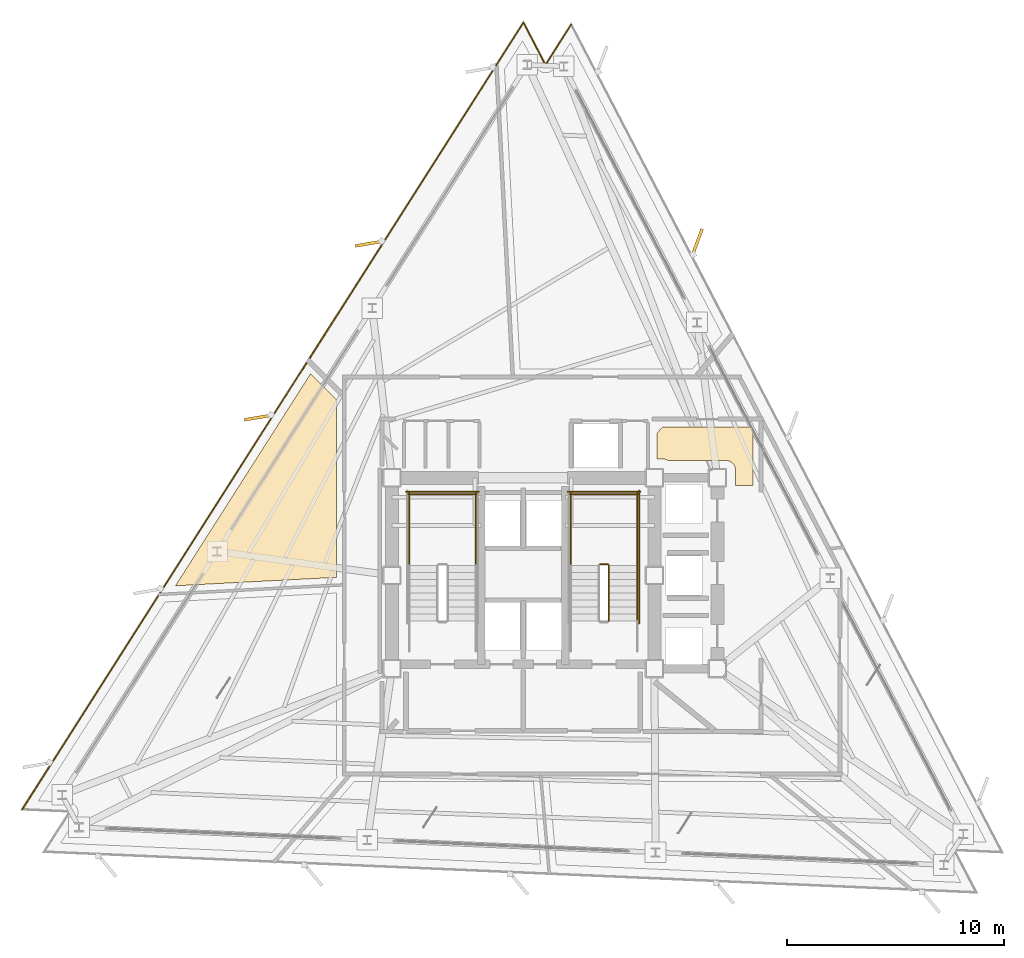
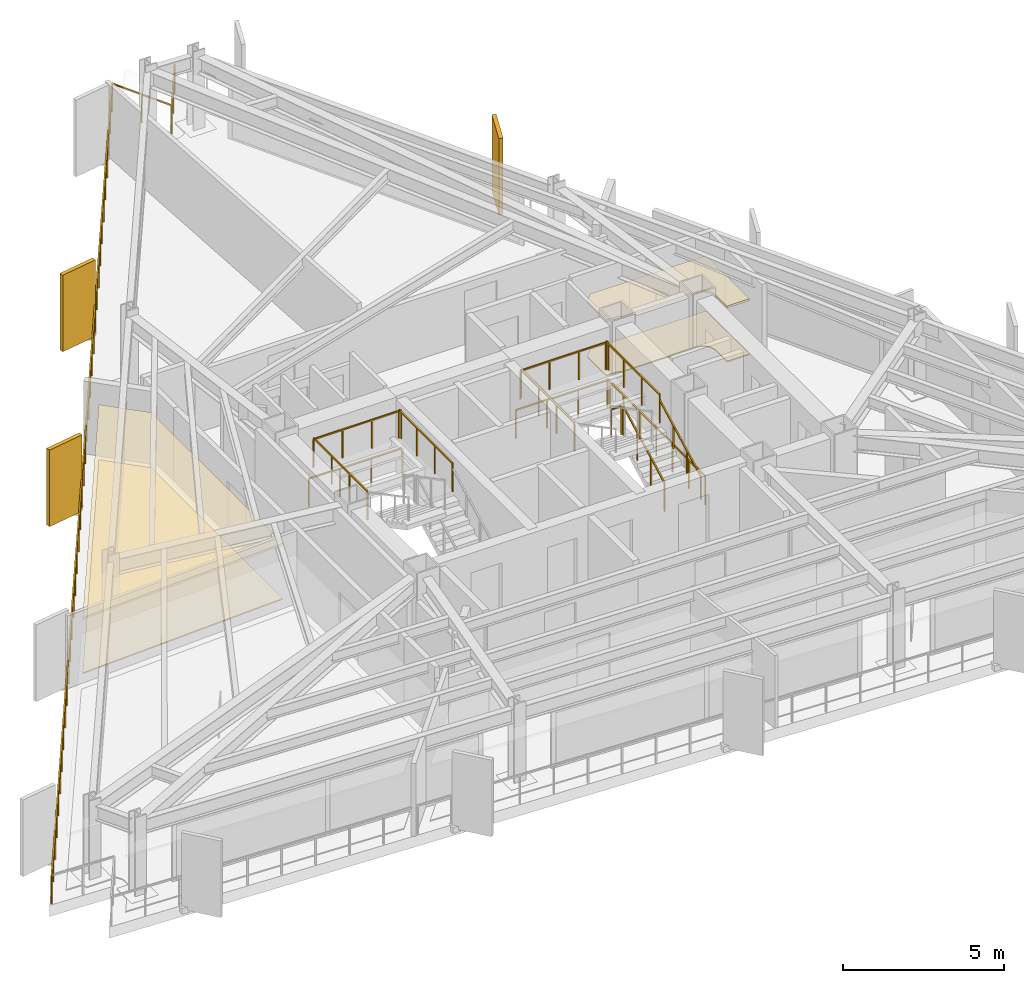
# One storey, part 11 of 12: 13 railings, 4 coverings, 3 shading devices.
"""IFC4 building model written with IfcOpenShell, lengths in metres."""

from ifc_helpers import new_model, si_unit, direction, frame, origin, origin_2d, place, context, subcontext, project, spatial, polyline, rectangle, outline, extrude, material, layer, layer_set, type_object, element, save


model = new_model("IFC4")

# Units and contexts
model_context = context("Model", 3, precision=1e-05, world=origin(), true_north=direction((0.0, 1.0)))
body_context = subcontext(model_context, "Body", "Model", "MODEL_VIEW")
ifc_project = project(units=[si_unit("LENGTHUNIT", "METRE"), si_unit("AREAUNIT", "SQUARE_METRE"), si_unit("VOLUMEUNIT", "CUBIC_METRE"), si_unit("PLANEANGLEUNIT", "RADIAN"), si_unit("MASSUNIT", "GRAM", prefix="KILO")], contexts=[model_context])

# Site, building, storey
site_placement = place(None, origin())
site = spatial("IfcSite", under=ifc_project, at=site_placement, CompositionType="ELEMENT")
building_placement = place(site_placement, origin())
building = spatial("IfcBuilding", under=site, at=building_placement, Name="Rocaltana Carrier Exchange", CompositionType="ELEMENT")
storey_placement = place(building_placement, frame((0.0, 0.0, 125.919921875)))
storey = spatial("IfcBuildingStorey", under=building, at=storey_placement, Name="L39", CompositionType="ELEMENT", Elevation=125.919921875)

# Coverings
ifc_material_1 = material(Name="Honed Bogota Sandstone Tile", Category="masonry")
ifc_layer_1 = layer(ifc_material_1, 0.0400390625)
ifc_layer_set_1 = layer_set([ifc_layer_1], Name="Honed Bogota Sandstone Tile")
covering_type_1 = type_object("IfcCoveringType", Name="Honed Stone Lobby Flooring 40", PredefinedType="FLOORING", material=ifc_layer_set_1)
covering_1_placement = place(storey_placement, origin())
element("IfcCovering", 1, at=covering_1_placement, inside=storey, type_object=covering_type_1, Name="L39 Peering Conference Room Finish Floor", PredefinedType="FLOORING", context=body_context, shape_type="SweptSolid", body=[
    extrude(outline(polyline([(6.6875, 5.2900390625), (6.682861328125, 5.293212890625), (6.66943359375, 5.30126953125), (6.64501953125, 5.314208984375), (6.630859375, 5.32080078125), (6.605712890625, 5.33154296875), (6.5908203125, 5.336669921875), (6.564453125, 5.3447265625), (6.54931640625, 5.348388671875), (6.522216796875, 5.35400390625), (6.5068359375, 5.356201171875), (6.4794921875, 5.35888671875), (6.463623046875, 5.359619140625), (6.449951171875, 5.360107421875), (6.159912109375, 5.360107421875), (6.159912109375, 6.53759765625), (6.4228515625, 6.840087890625), (10.60009765625, 6.840087890625), (10.60009765625, 4.139892578125), (9.7900390625, 4.139892578125), (9.7900390625, 4.85009765625), (9.789794921875, 4.86376953125), (9.788818359375, 4.87939453125), (9.7861328125, 4.90673828125), (9.783935546875, 4.92236328125), (9.778564453125, 4.94921875), (9.774658203125, 4.964599609375), (9.7666015625, 4.99072265625), (9.761474609375, 5.005615234375), (9.7509765625, 5.031005859375), (9.744140625, 5.045166015625), (9.731201171875, 5.0693359375), (9.72314453125, 5.082763671875), (9.7080078125, 5.105712890625), (9.698486328125, 5.118408203125), (9.68115234375, 5.139404296875), (9.670654296875, 5.151123046875), (9.651123046875, 5.170654296875), (9.639404296875, 5.18115234375), (9.618408203125, 5.198486328125), (9.605712890625, 5.2080078125), (9.582763671875, 5.22314453125), (9.5693359375, 5.231201171875), (9.545166015625, 5.244140625), (9.531005859375, 5.2509765625), (9.505615234375, 5.261474609375), (9.49072265625, 5.2666015625), (9.464599609375, 5.274658203125), (9.44921875, 5.278564453125), (9.42236328125, 5.283935546875), (9.40673828125, 5.2861328125), (9.37939453125, 5.288818359375), (9.36376953125, 5.289794921875), (9.35009765625, 5.2900390625), (6.6875, 5.2900390625)])), origin(), (0.0, 0.0, 1.0), 0.0400390625),
])
covering_2_placement = place(storey_placement, origin())
element("IfcCovering", 2, at=covering_2_placement, inside=storey, type_object=covering_type_1, Name="L39 Carrier Peering Suite Finish Floor", PredefinedType="FLOORING", context=body_context, shape_type="SweptSolid", body=[
    extrude(outline(polyline([(-9.802734375, 9.293701171875), (-8.610107421875, 8.100830078125), (-8.610107421875, -0.0908203125), (-16.02880859375, -0.4794921875), (-9.802734375, 9.293701171875)])), origin(), (0.0, 0.0, 1.0), 0.0400390625),
])
ifc_material_2 = material(Name="Anodised Aluminium 6063-T6", Category="aluminium")
ifc_layer_2 = layer(ifc_material_2, 0.0849609375)
ifc_layer_set_2 = layer_set([ifc_layer_2], Name="Anodised Aluminium 6063-T6")
covering_type_2 = type_object("IfcCoveringType", Name="Linear Baffle Acoustic Ceiling 85", PredefinedType="CEILING", material=ifc_layer_set_2)
covering_3_placement = place(storey_placement, frame((0.0, 0.0, 2.052978515625)))
element("IfcCovering", 3, at=covering_3_placement, inside=storey, type_object=covering_type_2, Name="L39 Peering Conference Room Acoustic Ceiling", PredefinedType="CEILING", context=body_context, shape_type="SweptSolid", body=[
    extrude(outline(polyline([(6.6875, 5.2900390625), (6.682861328125, 5.293212890625), (6.66943359375, 5.30126953125), (6.64501953125, 5.314208984375), (6.630859375, 5.32080078125), (6.605712890625, 5.33154296875), (6.5908203125, 5.336669921875), (6.564453125, 5.3447265625), (6.54931640625, 5.348388671875), (6.522216796875, 5.35400390625), (6.5068359375, 5.356201171875), (6.4794921875, 5.35888671875), (6.463623046875, 5.359619140625), (6.449951171875, 5.360107421875), (6.159912109375, 5.360107421875), (6.159912109375, 6.53759765625), (6.4228515625, 6.840087890625), (10.60009765625, 6.840087890625), (10.60009765625, 4.139892578125), (9.7900390625, 4.139892578125), (9.7900390625, 4.85009765625), (9.789794921875, 4.86376953125), (9.788818359375, 4.87939453125), (9.7861328125, 4.90673828125), (9.783935546875, 4.92236328125), (9.778564453125, 4.94921875), (9.774658203125, 4.964599609375), (9.7666015625, 4.99072265625), (9.761474609375, 5.005615234375), (9.7509765625, 5.031005859375), (9.744140625, 5.045166015625), (9.731201171875, 5.0693359375), (9.72314453125, 5.082763671875), (9.7080078125, 5.105712890625), (9.698486328125, 5.118408203125), (9.68115234375, 5.139404296875), (9.670654296875, 5.151123046875), (9.651123046875, 5.170654296875), (9.639404296875, 5.18115234375), (9.618408203125, 5.198486328125), (9.605712890625, 5.2080078125), (9.582763671875, 5.22314453125), (9.5693359375, 5.231201171875), (9.545166015625, 5.244140625), (9.531005859375, 5.2509765625), (9.505615234375, 5.261474609375), (9.49072265625, 5.2666015625), (9.464599609375, 5.274658203125), (9.44921875, 5.278564453125), (9.42236328125, 5.283935546875), (9.40673828125, 5.2861328125), (9.37939453125, 5.288818359375), (9.36376953125, 5.289794921875), (9.35009765625, 5.2900390625), (6.6875, 5.2900390625)])), origin(), (0.0, 0.0, 1.0), 0.085205078125),
])
covering_4_placement = place(storey_placement, frame((0.0, 0.0, 2.052978515625)))
element("IfcCovering", 4, at=covering_4_placement, inside=storey, type_object=covering_type_2, Name="L39 Carrier Peering Suite Acoustic Ceiling", PredefinedType="CEILING", context=body_context, shape_type="SweptSolid", body=[
    extrude(outline(polyline([(-9.802734375, 9.293701171875), (-8.610107421875, 8.100830078125), (-8.610107421875, -0.0908203125), (-16.02880859375, -0.4794921875), (-9.802734375, 9.293701171875)])), origin(), (0.0, 0.0, 1.0), 0.085205078125),
])

# Railings
ifc_material_3 = material(Name="Brushed Architectural Stainless Tube", Category="steel")
ifc_layer_3 = layer(ifc_material_3, 0.048095703125)
ifc_layer_set_3 = layer_set([ifc_layer_3], Name="Brushed Architectural Stainless Tube")
railing_type_1 = type_object("IfcRailingType", Name="Stair Wall Handrail 920", PredefinedType="HANDRAIL", material=ifc_layer_set_3)
railing_1_placement = place(storey_placement, frame((5.25, -2.10009765625, 0.1689453125)))
element("IfcRailing", 5, at=railing_1_placement, inside=storey, type_object=railing_type_1, Name="L39 ST-2 stair handrail 1", PredefinedType="HANDRAIL", context=body_context, shape_type="SweptSolid", body=[
    extrude(rectangle(XDim=0.048095703125, YDim=0.048095703125, at=origin_2d()), frame((0.0, 0.0, 0.8759765625), z_axis=(0.0, 0.884394423565, 0.466740295633), x_axis=(-1.0, 0.0, 0.0)), (0.0, 0.0, 1.0), 2.894775390625),
    extrude(rectangle(XDim=0.0419921875, YDim=0.0419921875, at=origin_2d()), origin(), (0.0, 0.0, 1.0), 0.851806640625),
    extrude(rectangle(XDim=0.0419921875, YDim=0.0419921875, at=origin_2d()), frame((0.0, 0.853271484375, 0.450439453125)), (0.0, 0.0, 1.0), 0.851806640625),
    extrude(rectangle(XDim=0.0419921875, YDim=0.0419921875, at=origin_2d()), frame((0.0, 1.706787109375, 0.900634765625)), (0.0, 0.0, 1.0), 0.851806640625),
    extrude(rectangle(XDim=0.0419921875, YDim=0.0419921875, at=origin_2d()), frame((0.0, 2.56005859375, 1.35107421875)), (0.0, 0.0, 1.0), 0.851806640625),
])
ifc_material_4 = material(Name="Powder-Coated Aluminium 6063-T6", Category="aluminium")
ifc_layer_4 = layer(ifc_material_4, 0.048095703125)
ifc_layer_set_4 = layer_set([ifc_layer_4], Name="Powder-Coated Aluminium 6063-T6")
railing_type_2 = type_object("IfcRailingType", Name="Stair Well Guardrail 1100", PredefinedType="GUARDRAIL", material=ifc_layer_set_4)
for number, where, name in (
    (6, (-2.18994140625, 0.4599609375, 1.52001953125), "L39 ST-1 stair guard 3"),
    (7, (-5.25, 0.4599609375, 1.52001953125), "L39 ST-1 stair guard 4"),
):
    element("IfcRailing", number, at=place(storey_placement, frame(where)), inside=storey, type_object=railing_type_2, Name=name, PredefinedType="GUARDRAIL", context=body_context, shape_type="SweptSolid", body=[
        extrude(rectangle(XDim=0.048095703125, YDim=0.048095703125, at=origin_2d()), frame((0.0, 0.0, 1.076171875), z_axis=(0.0, 1.0, 0.0), x_axis=(-1.0, 0.0, 0.0)), (0.0, 0.0, 1.0), 3.340087890625),
        extrude(rectangle(XDim=0.0419921875, YDim=0.0419921875, at=origin_2d()), origin(), (0.0, 0.0, 1.0), 1.052001953125),
        extrude(rectangle(XDim=0.0419921875, YDim=0.0419921875, at=origin_2d()), frame((0.0, 1.11328125, 0.0)), (0.0, 0.0, 1.0), 1.052001953125),
        extrude(rectangle(XDim=0.0419921875, YDim=0.0419921875, at=origin_2d()), frame((0.0, 2.226806640625, 0.0)), (0.0, 0.0, 1.0), 1.052001953125),
        extrude(rectangle(XDim=0.0419921875, YDim=0.0419921875, at=origin_2d()), frame((0.0, 3.340087890625, 0.0)), (0.0, 0.0, 1.0), 1.052001953125),
    ])
railing_2_placement = place(storey_placement, frame((-2.139892578125, 3.75, 1.52001953125)))
element("IfcRailing", 8, at=railing_2_placement, inside=storey, type_object=railing_type_2, Name="L39 ST-1 stair guard 5", PredefinedType="GUARDRAIL", context=body_context, shape_type="SweptSolid", body=[
    extrude(rectangle(XDim=0.048095703125, YDim=0.048095703125, at=origin_2d()), frame((0.0, 0.0, 1.076171875), z_axis=(-1.0, 0.0, 0.0), x_axis=(0.0, -1.0, 0.0)), (0.0, 0.0, 1.0), 3.16015625),
    extrude(rectangle(XDim=0.0419921875, YDim=0.0419921875, at=origin_2d()), origin(), (0.0, 0.0, 1.0), 1.052001953125),
    extrude(rectangle(XDim=0.0419921875, YDim=0.0419921875, at=origin_2d()), frame((-1.053466796875, 0.0, 0.0)), (0.0, 0.0, 1.0), 1.052001953125),
    extrude(rectangle(XDim=0.0419921875, YDim=0.0419921875, at=origin_2d()), frame((-2.106689453125, 0.0, 0.0)), (0.0, 0.0, 1.0), 1.052001953125),
    extrude(rectangle(XDim=0.0419921875, YDim=0.0419921875, at=origin_2d()), frame((-3.16015625, 0.0, 0.0)), (0.0, 0.0, 1.0), 1.052001953125),
])
railing_3_placement = place(storey_placement, frame((-2.0400390625, 3.85009765625, 0.0)))
element("IfcRailing", 9, at=railing_3_placement, inside=storey, type_object=railing_type_2, Name="L39 ST-1 stair guard 12", PredefinedType="GUARDRAIL", context=body_context, shape_type="SweptSolid", body=[
    extrude(rectangle(XDim=0.048095703125, YDim=0.048095703125, at=origin_2d()), frame((0.0, 0.0, 1.076171875), z_axis=(-1.0, 0.0, 0.0), x_axis=(0.0, -1.0, 0.0)), (0.0, 0.0, 1.0), 3.35986328125),
    extrude(rectangle(XDim=0.0419921875, YDim=0.0419921875, at=origin_2d()), origin(), (0.0, 0.0, 1.0), 1.052001953125),
    extrude(rectangle(XDim=0.0419921875, YDim=0.0419921875, at=origin_2d()), frame((-1.119873046875, 0.0, 0.0)), (0.0, 0.0, 1.0), 1.052001953125),
    extrude(rectangle(XDim=0.0419921875, YDim=0.0419921875, at=origin_2d()), frame((-2.239990234375, 0.0, 0.0)), (0.0, 0.0, 1.0), 1.052001953125),
    extrude(rectangle(XDim=0.0419921875, YDim=0.0419921875, at=origin_2d()), frame((-3.35986328125, 0.0, 0.0)), (0.0, 0.0, 1.0), 1.052001953125),
])
railing_4_placement = place(storey_placement, frame((3.949951171875, -2.10009765625, 0.1689453125)))
element("IfcRailing", 10, at=railing_4_placement, inside=storey, type_object=railing_type_2, Name="L39 ST-2 stair guard 1", PredefinedType="GUARDRAIL", context=body_context, shape_type="SweptSolid", body=[
    extrude(rectangle(XDim=0.048095703125, YDim=0.048095703125, at=origin_2d()), frame((0.0, 0.0, 1.076171875), z_axis=(0.0, 0.884394423565, 0.466740295633), x_axis=(-1.0, 0.0, 0.0)), (0.0, 0.0, 1.0), 2.894775390625),
    extrude(rectangle(XDim=0.0419921875, YDim=0.0419921875, at=origin_2d()), origin(), (0.0, 0.0, 1.0), 1.052001953125),
    extrude(rectangle(XDim=0.0419921875, YDim=0.0419921875, at=origin_2d()), frame((0.0, 0.853271484375, 0.450439453125)), (0.0, 0.0, 1.0), 1.052001953125),
    extrude(rectangle(XDim=0.0419921875, YDim=0.0419921875, at=origin_2d()), frame((0.0, 1.706787109375, 0.900634765625)), (0.0, 0.0, 1.0), 1.052001953125),
    extrude(rectangle(XDim=0.0419921875, YDim=0.0419921875, at=origin_2d()), frame((0.0, 2.56005859375, 1.35107421875)), (0.0, 0.0, 1.0), 1.052001953125),
])
railing_5_placement = place(storey_placement, frame((3.89990234375, 0.510009765625, 1.52001953125)))
element("IfcRailing", 11, at=railing_5_placement, inside=storey, type_object=railing_type_2, Name="L39 ST-2 stair guard 2", PredefinedType="GUARDRAIL", context=body_context, shape_type="SweptSolid", body=[
    extrude(rectangle(XDim=0.048095703125, YDim=0.048095703125, at=origin_2d()), frame((0.0, 0.0, 1.076171875), z_axis=(-1.0, 0.0, 0.0), x_axis=(0.0, -1.0, 0.0)), (0.0, 0.0, 1.0), 0.35986328125),
    extrude(rectangle(XDim=0.0419921875, YDim=0.0419921875, at=origin_2d()), origin(), (0.0, 0.0, 1.0), 1.052001953125),
    extrude(rectangle(XDim=0.0419921875, YDim=0.0419921875, at=origin_2d()), frame((-0.35986328125, 0.0, 0.0)), (0.0, 0.0, 1.0), 1.052001953125),
])
for number, where, name in (
    (12, (5.25, 0.4599609375, 1.52001953125), "L39 ST-2 stair guard 3"),
    (13, (2.18994140625, 0.4599609375, 1.52001953125), "L39 ST-2 stair guard 4"),
):
    element("IfcRailing", number, at=place(storey_placement, frame(where)), inside=storey, type_object=railing_type_2, Name=name, PredefinedType="GUARDRAIL", context=body_context, shape_type="SweptSolid", body=[
        extrude(rectangle(XDim=0.048095703125, YDim=0.048095703125, at=origin_2d()), frame((0.0, 0.0, 1.076171875), z_axis=(0.0, 1.0, 0.0), x_axis=(-1.0, 0.0, 0.0)), (0.0, 0.0, 1.0), 3.340087890625),
        extrude(rectangle(XDim=0.0419921875, YDim=0.0419921875, at=origin_2d()), origin(), (0.0, 0.0, 1.0), 1.052001953125),
        extrude(rectangle(XDim=0.0419921875, YDim=0.0419921875, at=origin_2d()), frame((0.0, 1.11328125, 0.0)), (0.0, 0.0, 1.0), 1.052001953125),
        extrude(rectangle(XDim=0.0419921875, YDim=0.0419921875, at=origin_2d()), frame((0.0, 2.226806640625, 0.0)), (0.0, 0.0, 1.0), 1.052001953125),
        extrude(rectangle(XDim=0.0419921875, YDim=0.0419921875, at=origin_2d()), frame((0.0, 3.340087890625, 0.0)), (0.0, 0.0, 1.0), 1.052001953125),
    ])
railing_6_placement = place(storey_placement, frame((5.300048828125, 3.75, 1.52001953125)))
element("IfcRailing", 14, at=railing_6_placement, inside=storey, type_object=railing_type_2, Name="L39 ST-2 stair guard 5", PredefinedType="GUARDRAIL", context=body_context, shape_type="SweptSolid", body=[
    extrude(rectangle(XDim=0.048095703125, YDim=0.048095703125, at=origin_2d()), frame((0.0, 0.0, 1.076171875), z_axis=(-1.0, 0.0, 0.0), x_axis=(0.0, -1.0, 0.0)), (0.0, 0.0, 1.0), 3.16015625),
    extrude(rectangle(XDim=0.0419921875, YDim=0.0419921875, at=origin_2d()), origin(), (0.0, 0.0, 1.0), 1.052001953125),
    extrude(rectangle(XDim=0.0419921875, YDim=0.0419921875, at=origin_2d()), frame((-1.053466796875, 0.0, 0.0)), (0.0, 0.0, 1.0), 1.052001953125),
    extrude(rectangle(XDim=0.0419921875, YDim=0.0419921875, at=origin_2d()), frame((-2.106689453125, 0.0, 0.0)), (0.0, 0.0, 1.0), 1.052001953125),
    extrude(rectangle(XDim=0.0419921875, YDim=0.0419921875, at=origin_2d()), frame((-3.16015625, 0.0, 0.0)), (0.0, 0.0, 1.0), 1.052001953125),
])
railing_7_placement = place(storey_placement, frame((5.35009765625, -2.199951171875, 0.0)))
element("IfcRailing", 15, at=railing_7_placement, inside=storey, type_object=railing_type_2, Name="L39 ST-2 stair guard 10", PredefinedType="GUARDRAIL", context=body_context, shape_type="SweptSolid", body=[
    extrude(rectangle(XDim=0.048095703125, YDim=0.048095703125, at=origin_2d()), frame((0.0, 0.0, 1.076171875), z_axis=(0.0, 1.0, 0.0), x_axis=(-1.0, 0.0, 0.0)), (0.0, 0.0, 1.0), 6.099853515625),
    extrude(rectangle(XDim=0.0419921875, YDim=0.0419921875, at=origin_2d()), origin(), (0.0, 0.0, 1.0), 1.052001953125),
    extrude(rectangle(XDim=0.0419921875, YDim=0.0419921875, at=origin_2d()), frame((0.0, 1.0166015625, 0.0)), (0.0, 0.0, 1.0), 1.052001953125),
    extrude(rectangle(XDim=0.0419921875, YDim=0.0419921875, at=origin_2d()), frame((0.0, 2.033203125, 0.0)), (0.0, 0.0, 1.0), 1.052001953125),
    extrude(rectangle(XDim=0.0419921875, YDim=0.0419921875, at=origin_2d()), frame((0.0, 3.0498046875, 0.0)), (0.0, 0.0, 1.0), 1.052001953125),
    extrude(rectangle(XDim=0.0419921875, YDim=0.0419921875, at=origin_2d()), frame((0.0, 4.066650390625, 0.0)), (0.0, 0.0, 1.0), 1.052001953125),
    extrude(rectangle(XDim=0.0419921875, YDim=0.0419921875, at=origin_2d()), frame((0.0, 5.083251953125, 0.0)), (0.0, 0.0, 1.0), 1.052001953125),
    extrude(rectangle(XDim=0.0419921875, YDim=0.0419921875, at=origin_2d()), frame((0.0, 6.099853515625, 0.0)), (0.0, 0.0, 1.0), 1.052001953125),
])
railing_8_placement = place(storey_placement, frame((5.39990234375, 3.85009765625, 0.0)))
element("IfcRailing", 16, at=railing_8_placement, inside=storey, type_object=railing_type_2, Name="L39 ST-2 stair guard 12", PredefinedType="GUARDRAIL", context=body_context, shape_type="SweptSolid", body=[
    extrude(rectangle(XDim=0.048095703125, YDim=0.048095703125, at=origin_2d()), frame((0.0, 0.0, 1.076171875), z_axis=(-1.0, 0.0, 0.0), x_axis=(0.0, -1.0, 0.0)), (0.0, 0.0, 1.0), 3.35986328125),
    extrude(rectangle(XDim=0.0419921875, YDim=0.0419921875, at=origin_2d()), origin(), (0.0, 0.0, 1.0), 1.052001953125),
    extrude(rectangle(XDim=0.0419921875, YDim=0.0419921875, at=origin_2d()), frame((-1.119873046875, 0.0, 0.0)), (0.0, 0.0, 1.0), 1.052001953125),
    extrude(rectangle(XDim=0.0419921875, YDim=0.0419921875, at=origin_2d()), frame((-2.239990234375, 0.0, 0.0)), (0.0, 0.0, 1.0), 1.052001953125),
    extrude(rectangle(XDim=0.0419921875, YDim=0.0419921875, at=origin_2d()), frame((-3.35986328125, 0.0, 0.0)), (0.0, 0.0, 1.0), 1.052001953125),
])

# Shading devices
ifc_material_5 = material(Name="Honed Bogota Sandstone & Concrete C45/55", Category="masonry")
ifc_layer_5 = layer(ifc_material_5, 0.139892578125)
ifc_layer_set_5 = layer_set([ifc_layer_5], Name="Honed Bogota Sandstone & Concrete C45/55")
shading_device_type = type_object("IfcShadingDeviceType", Name="Vertical Sandstone Shading Fin 1320x140", PredefinedType="USERDEFINED", material=ifc_layer_set_5)
for number, where, z_axis, x_axis, name in (
    (17, (8.018798828125, 15.352294921875, -0.1201171875), (0.0, 0.0, 1.0), (0.350207381259, 0.936672189248, 0.0), "L39 Sandstone Vertical Fin F1-04"),
    (18, (-7.09619140625, 15.29296875, -0.1201171875), (0.0, 0.0, 1.0), (-0.986285601537, -0.165047605861, 0.0), "L39 Sandstone Vertical Fin F2-02"),
    (19, (-12.200439453125, 7.28076171875, -0.1201171875), (0.0, 0.0, 1.0), (-0.986285601537, -0.165047605861, 0.0), "L39 Sandstone Vertical Fin F2-03"),
):
    element("IfcShadingDevice", number, at=place(storey_placement, frame(where, z_axis=z_axis, x_axis=x_axis)), inside=storey, type_object=shading_device_type, Name=name, ObjectType="FIN", PredefinedType="USERDEFINED", context=body_context, shape_type="SweptSolid", body=[
        extrude(rectangle(XDim=1.320068359375, YDim=0.139892578125, at=origin_2d()), origin(), (0.0, 0.0, 1.0), 2.907958984375),
    ])

# Railing
ifc_material_6 = material(Name="Powder-Coated Aluminium 6063-T6", Category="aluminium")
ifc_layer_6 = layer(ifc_material_6, 0.06005859375)
ifc_layer_set_6 = layer_set([ifc_layer_6], Name="Powder-Coated Aluminium 6063-T6")
railing_type_3 = type_object("IfcRailingType", Name="Wind-Floor & Terrace Perimeter Guardrail 1100", PredefinedType="GUARDRAIL", material=ifc_layer_set_6)
railing_9_placement = place(storey_placement, frame((-23.08837890625, -10.77880859375, 0.0)))
element("IfcRailing", 20, at=railing_9_placement, inside=storey, type_object=railing_type_3, Name="L39 Perimeter Balcony Guardrail 2", PredefinedType="GUARDRAIL", context=body_context, shape_type="SweptSolid", body=[
    extrude(rectangle(XDim=0.048095703125, YDim=0.048095703125, at=origin_2d()), frame((0.0, 0.0, 1.076171875), z_axis=(0.537302027916, 0.843389904373, 0.0), x_axis=(-0.843389904373, 0.537302027916, 0.0)), (0.0, 0.0, 1.0), 42.9921875),
    extrude(rectangle(XDim=0.048095703125, YDim=0.048095703125, at=origin_2d()), frame((23.099853515625, 36.25927734375, 1.076171875), z_axis=(0.46171255631, -0.887029602294, 0.0), x_axis=(0.887029602294, 0.46171255631, 0.0)), (0.0, 0.0, 1.0), 2.2001953125),
    extrude(rectangle(XDim=0.048095703125, YDim=0.048095703125, at=origin_2d()), frame((24.11572265625, 34.3076171875, 1.076171875), z_axis=(0.537270321913, 0.843410102614, 0.0), x_axis=(-0.843410102614, 0.537270321913, 0.0)), (0.0, 0.0, 1.0), 2.2001953125),
    extrude(rectangle(XDim=0.0419921875, YDim=0.0419921875, at=origin_2d()), origin(), (0.0, 0.0, 1.0), 1.052001953125),
    extrude(rectangle(XDim=0.0419921875, YDim=0.0419921875, at=origin_2d()), frame((0.6416015625, 1.00732421875, 0.0)), (0.0, 0.0, 1.0), 1.052001953125),
    extrude(rectangle(XDim=0.0419921875, YDim=0.0419921875, at=origin_2d()), frame((1.283203125, 2.014404296875, 0.0)), (0.0, 0.0, 1.0), 1.052001953125),
    extrude(rectangle(XDim=0.0419921875, YDim=0.0419921875, at=origin_2d()), frame((1.925048828125, 3.021484375, 0.0)), (0.0, 0.0, 1.0), 1.052001953125),
    extrude(rectangle(XDim=0.0419921875, YDim=0.0419921875, at=origin_2d()), frame((2.566650390625, 4.02880859375, 0.0)), (0.0, 0.0, 1.0), 1.052001953125),
    extrude(rectangle(XDim=0.0419921875, YDim=0.0419921875, at=origin_2d()), frame((3.208251953125, 5.0361328125, 0.0)), (0.0, 0.0, 1.0), 1.052001953125),
    extrude(rectangle(XDim=0.0419921875, YDim=0.0419921875, at=origin_2d()), frame((3.85009765625, 6.043212890625, 0.0)), (0.0, 0.0, 1.0), 1.052001953125),
    extrude(rectangle(XDim=0.0419921875, YDim=0.0419921875, at=origin_2d()), frame((4.49169921875, 7.05029296875, 0.0)), (0.0, 0.0, 1.0), 1.052001953125),
    extrude(rectangle(XDim=0.0419921875, YDim=0.0419921875, at=origin_2d()), frame((5.13330078125, 8.0576171875, 0.0)), (0.0, 0.0, 1.0), 1.052001953125),
    extrude(rectangle(XDim=0.0419921875, YDim=0.0419921875, at=origin_2d()), frame((5.77490234375, 9.06494140625, 0.0)), (0.0, 0.0, 1.0), 1.052001953125),
    extrude(rectangle(XDim=0.0419921875, YDim=0.0419921875, at=origin_2d()), frame((6.41650390625, 10.072021484375, 0.0)), (0.0, 0.0, 1.0), 1.052001953125),
    extrude(rectangle(XDim=0.0419921875, YDim=0.0419921875, at=origin_2d()), frame((7.058349609375, 11.079345703125, 0.0)), (0.0, 0.0, 1.0), 1.052001953125),
    extrude(rectangle(XDim=0.0419921875, YDim=0.0419921875, at=origin_2d()), frame((7.699951171875, 12.08642578125, 0.0)), (0.0, 0.0, 1.0), 1.052001953125),
    extrude(rectangle(XDim=0.0419921875, YDim=0.0419921875, at=origin_2d()), frame((8.341552734375, 13.09375, 0.0)), (0.0, 0.0, 1.0), 1.052001953125),
    extrude(rectangle(XDim=0.0419921875, YDim=0.0419921875, at=origin_2d()), frame((8.9833984375, 14.100830078125, 0.0)), (0.0, 0.0, 1.0), 1.052001953125),
    extrude(rectangle(XDim=0.0419921875, YDim=0.0419921875, at=origin_2d()), frame((9.625, 15.10791015625, 0.0)), (0.0, 0.0, 1.0), 1.052001953125),
    extrude(rectangle(XDim=0.0419921875, YDim=0.0419921875, at=origin_2d()), frame((10.2666015625, 16.115234375, 0.0)), (0.0, 0.0, 1.0), 1.052001953125),
    extrude(rectangle(XDim=0.0419921875, YDim=0.0419921875, at=origin_2d()), frame((10.908203125, 17.12255859375, 0.0)), (0.0, 0.0, 1.0), 1.052001953125),
    extrude(rectangle(XDim=0.0419921875, YDim=0.0419921875, at=origin_2d()), frame((11.5498046875, 18.129638671875, 0.0)), (0.0, 0.0, 1.0), 1.052001953125),
    extrude(rectangle(XDim=0.0419921875, YDim=0.0419921875, at=origin_2d()), frame((12.191650390625, 19.13671875, 0.0)), (0.0, 0.0, 1.0), 1.052001953125),
    extrude(rectangle(XDim=0.0419921875, YDim=0.0419921875, at=origin_2d()), frame((12.833251953125, 20.14404296875, 0.0)), (0.0, 0.0, 1.0), 1.052001953125),
    extrude(rectangle(XDim=0.0419921875, YDim=0.0419921875, at=origin_2d()), frame((13.474853515625, 21.1513671875, 0.0)), (0.0, 0.0, 1.0), 1.052001953125),
    extrude(rectangle(XDim=0.0419921875, YDim=0.0419921875, at=origin_2d()), frame((14.11669921875, 22.158447265625, 0.0)), (0.0, 0.0, 1.0), 1.052001953125),
    extrude(rectangle(XDim=0.0419921875, YDim=0.0419921875, at=origin_2d()), frame((14.75830078125, 23.16552734375, 0.0)), (0.0, 0.0, 1.0), 1.052001953125),
    extrude(rectangle(XDim=0.0419921875, YDim=0.0419921875, at=origin_2d()), frame((15.39990234375, 24.1728515625, 0.0)), (0.0, 0.0, 1.0), 1.052001953125),
    extrude(rectangle(XDim=0.0419921875, YDim=0.0419921875, at=origin_2d()), frame((16.04150390625, 25.18017578125, 0.0)), (0.0, 0.0, 1.0), 1.052001953125),
    extrude(rectangle(XDim=0.0419921875, YDim=0.0419921875, at=origin_2d()), frame((16.68310546875, 26.187255859375, 0.0)), (0.0, 0.0, 1.0), 1.052001953125),
    extrude(rectangle(XDim=0.0419921875, YDim=0.0419921875, at=origin_2d()), frame((17.324951171875, 27.1943359375, 0.0)), (0.0, 0.0, 1.0), 1.052001953125),
    extrude(rectangle(XDim=0.0419921875, YDim=0.0419921875, at=origin_2d()), frame((17.966552734375, 28.20166015625, 0.0)), (0.0, 0.0, 1.0), 1.052001953125),
    extrude(rectangle(XDim=0.0419921875, YDim=0.0419921875, at=origin_2d()), frame((18.608154296875, 29.208984375, 0.0)), (0.0, 0.0, 1.0), 1.052001953125),
    extrude(rectangle(XDim=0.0419921875, YDim=0.0419921875, at=origin_2d()), frame((19.25, 30.216064453125, 0.0)), (0.0, 0.0, 1.0), 1.052001953125),
    extrude(rectangle(XDim=0.0419921875, YDim=0.0419921875, at=origin_2d()), frame((19.8916015625, 31.223388671875, 0.0)), (0.0, 0.0, 1.0), 1.052001953125),
    extrude(rectangle(XDim=0.0419921875, YDim=0.0419921875, at=origin_2d()), frame((20.533203125, 32.23046875, 0.0)), (0.0, 0.0, 1.0), 1.052001953125),
    extrude(rectangle(XDim=0.0419921875, YDim=0.0419921875, at=origin_2d()), frame((21.1748046875, 33.23779296875, 0.0)), (0.0, 0.0, 1.0), 1.052001953125),
    extrude(rectangle(XDim=0.0419921875, YDim=0.0419921875, at=origin_2d()), frame((21.81640625, 34.244873046875, 0.0)), (0.0, 0.0, 1.0), 1.052001953125),
    extrude(rectangle(XDim=0.0419921875, YDim=0.0419921875, at=origin_2d()), frame((22.458251953125, 35.251953125, 0.0)), (0.0, 0.0, 1.0), 1.052001953125),
    extrude(rectangle(XDim=0.0419921875, YDim=0.0419921875, at=origin_2d()), frame((23.099853515625, 36.25927734375, 0.0)), (0.0, 0.0, 1.0), 1.052001953125),
    extrude(rectangle(XDim=0.0419921875, YDim=0.0419921875, at=origin_2d()), frame((23.60791015625, 35.283447265625, 0.0)), (0.0, 0.0, 1.0), 1.052001953125),
    extrude(rectangle(XDim=0.0419921875, YDim=0.0419921875, at=origin_2d()), frame((24.11572265625, 34.3076171875, 0.0)), (0.0, 0.0, 1.0), 1.052001953125),
    extrude(rectangle(XDim=0.0419921875, YDim=0.0419921875, at=origin_2d()), frame((24.706787109375, 35.2353515625, 0.0)), (0.0, 0.0, 1.0), 1.052001953125),
    extrude(rectangle(XDim=0.0419921875, YDim=0.0419921875, at=origin_2d()), frame((25.2978515625, 36.163330078125, 0.0)), (0.0, 0.0, 1.0), 1.052001953125),
])

save(model, "model.ifc")
